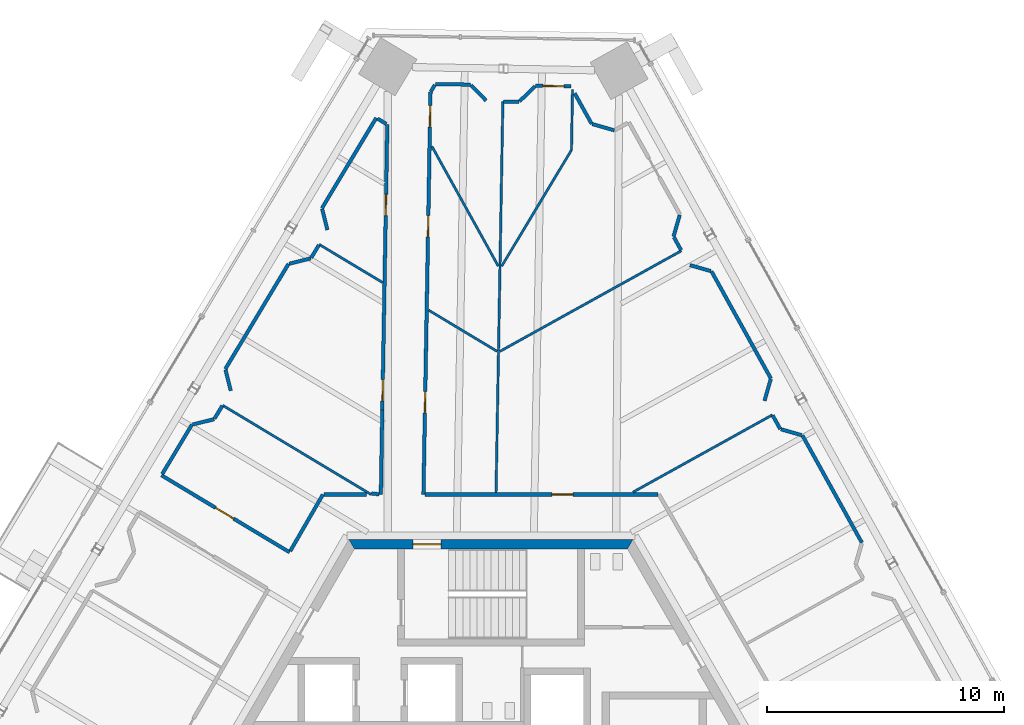
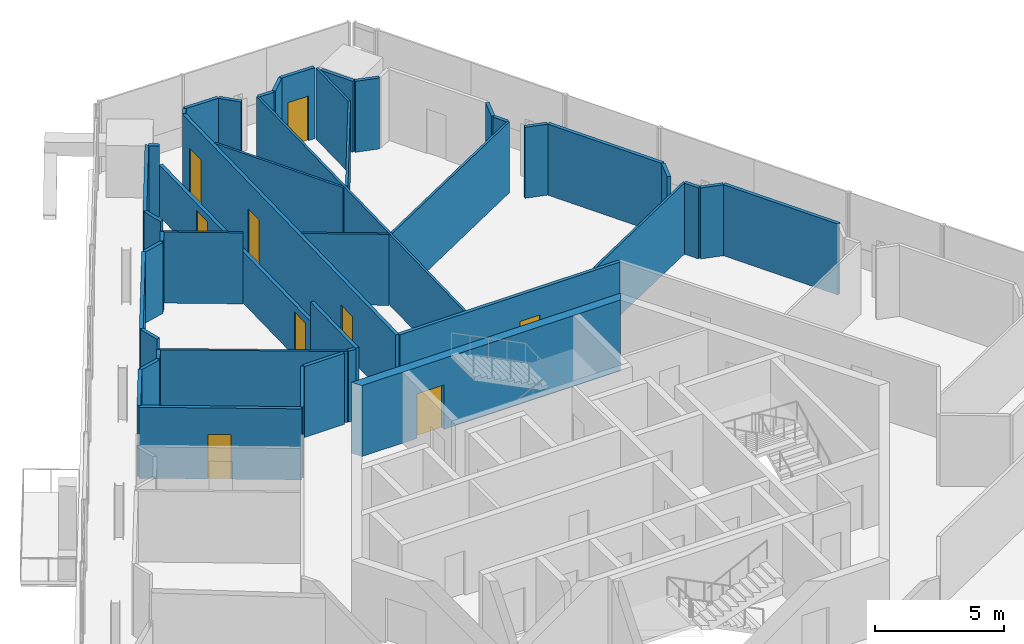
# One storey, part 19 of 24: 44 walls, 9 doors, 9 openings.
"""IFC4 building model written with IfcOpenShell, lengths in metres."""

from ifc_helpers import new_model, si_unit, direction, frame, frame_2d, origin, place, context, subcontext, project, spatial, polyline, rectangle, outline, extrude, source, transform, mapped, material, layer, layer_set, type_object, element, fill, save


model = new_model("IFC4")

# Units and contexts
model_context = context("Model", 3, precision=1e-05, world=origin(), true_north=direction((0.0, 1.0)))
body_context = subcontext(model_context, "Body", "Model", "MODEL_VIEW")
ifc_project = project(units=[si_unit("LENGTHUNIT", "METRE"), si_unit("AREAUNIT", "SQUARE_METRE"), si_unit("VOLUMEUNIT", "CUBIC_METRE"), si_unit("PLANEANGLEUNIT", "RADIAN"), si_unit("MASSUNIT", "GRAM", prefix="KILO")], contexts=[model_context])

# Site, building, storey
site_placement = place(None, origin())
site = spatial("IfcSite", under=ifc_project, at=site_placement, CompositionType="ELEMENT")
building_placement = place(site_placement, origin())
building = spatial("IfcBuilding", under=site, at=building_placement, Name="Triune Harvest Tower", CompositionType="ELEMENT")
storey_placement = place(building_placement, frame((0.0, 0.0, 212.300048828125)))
storey = spatial("IfcBuildingStorey", under=building, at=storey_placement, Name="L55", CompositionType="ELEMENT", Elevation=212.300048828125)

# Walls
ifc_material_1 = material(Name="Gypsum board on steel studs", Category="steel")
ifc_layer_1 = layer(ifc_material_1, 0.14990234375)
ifc_layer_set_1 = layer_set([ifc_layer_1], Name="Gypsum board on steel studs")
wall_type_1 = type_object("IfcWallType", Name="Fire Partition 150 mm", PredefinedType="PARTITIONING", material=ifc_layer_set_1)
wall_1_placement = place(storey_placement, frame((3.538818359375, 29.23779296875, 0.0), z_axis=(0.0, 0.0, 1.0), x_axis=(0.484841070722, -0.874602273117, 0.0)))
element("IfcWall", 1, at=wall_1_placement, inside=storey, type_object=wall_type_1, Name="Partition L55 013", PredefinedType="PARTITIONING", context=body_context, shape_type="SweptSolid", body=[
    extrude(rectangle(XDim=1.473876953125, YDim=0.14990234375, at=frame_2d((0.73681640625, 0.0))), origin(), (0.0, 0.0, 1.0), 3.349853515625),
])
wall_2_placement = place(storey_placement, frame((13.157958984375, 14.787109375, 0.0), z_axis=(0.0, 0.0, 1.0), x_axis=(0.484810485576, -0.874619227479, 0.0)))
element("IfcWall", 2, at=wall_2_placement, inside=storey, type_object=wall_type_1, Name="Partition L55 021", PredefinedType="PARTITIONING", context=body_context, shape_type="SweptSolid", body=[
    extrude(rectangle(XDim=5.180908203125, YDim=0.14990234375, at=frame_2d((2.59033203125, 0.0))), origin(), (0.0, 0.0, 1.0), 3.349853515625),
])

# Wall, opening, door
wall_3_placement = place(storey_placement, frame((-13.916259765625, 13.1025390625, 0.0), z_axis=(0.0, 0.0, 1.0), x_axis=(0.857168518563, -0.515036048044, 0.0)))
wall_3 = element("IfcWall", 3, at=wall_3_placement, inside=storey, type_object=wall_type_1, Name="Partition L55 041", PredefinedType="PARTITIONING", context=body_context, shape_type="SweptSolid", body=[
    extrude(rectangle(XDim=6.311767578125, YDim=0.14990234375, at=frame_2d((3.15576171875, 0.0))), origin(), (0.0, 0.0, 1.0), 3.349853515625),
])
opening_1_placement = place(wall_3_placement, frame((2.661865234375, 0.0, 0.0)))
opening_1 = element("IfcOpeningElement", 4, at=opening_1_placement, cuts=wall_3, Name="Opening L55-015", PredefinedType="OPENING", context=body_context, shape_type="SweptSolid", body=[
    extrude(rectangle(XDim=0.89990234375, YDim=2.10009765625, at=frame_2d((0.449951171875, 1.050048828125))), frame((0.0, 0.0849609375, 0.0), z_axis=(0.0, -1.0, 0.0), x_axis=(1.0, 0.0, 0.0)), (0.0, 0.0, 1.0), 0.169921875),
])
ifc_material_2 = material(Name="Timber and steel door set", Category="steel")
door_type_1 = type_object("IfcDoorType", Name="Single leaf door FD30 left hand 900 x 2100", OperationType="SINGLE_SWING_LEFT", PredefinedType="DOOR", material=ifc_material_2)
door_1_placement = place(opening_1_placement, origin())
door_1 = element("IfcDoor", 5, at=door_1_placement, inside=storey, type_object=door_type_1, Name="Door L55-015 Office 55.15", OperationType="SINGLE_SWING_LEFT", OverallHeight=2.10009765625, OverallWidth=0.89990234375, PredefinedType="DOOR", context=body_context, shape_type="SweptSolid", body=[
    extrude(rectangle(XDim=0.89990234375, YDim=2.10009765625, at=frame_2d((0.449951171875, 1.050048828125))), frame((0.0, 0.02490234375, 0.0), z_axis=(0.0, -1.0, 0.0), x_axis=(1.0, 0.0, 0.0)), (0.0, 0.0, 1.0), 0.050048828125),
])
fill(opening_1, door_1)

# Walls
wall_4_placement = place(storey_placement, frame((-4.793701171875, 28.1689453125, 0.0), z_axis=(0.0, 0.0, 1.0), x_axis=(0.857394082435, -0.514660458366, 0.0)))
element("IfcWall", 6, at=wall_4_placement, inside=storey, type_object=wall_type_1, Name="Partition L55 047", PredefinedType="PARTITIONING", context=body_context, shape_type="SweptSolid", body=[
    extrude(rectangle(XDim=0.43603515625, YDim=0.14990234375, at=frame_2d((0.218017578125, 0.0))), origin(), (0.0, 0.0, 1.0), 3.349853515625),
])
wall_5_placement = place(storey_placement, frame((4.281982421875, 27.9404296875, 0.0), z_axis=(0.0, 0.0, 1.0), x_axis=(0.961285750079, -0.275553455242, 0.0)))
element("IfcWall", 7, at=wall_5_placement, inside=storey, type_object=wall_type_1, Name="Partition L55 054", PredefinedType="PARTITIONING", context=body_context, shape_type="SweptSolid", body=[
    extrude(rectangle(XDim=0.968505859375, YDim=0.14990234375, at=frame_2d((0.484375, 0.0))), origin(), (0.0, 0.0, 1.0), 3.349853515625),
])
wall_6_placement = place(storey_placement, frame((-2.344970703125, 29.630615234375, 0.0), z_axis=(0.0, 0.0, 1.0), x_axis=(0.999845788308, -0.017561309808, 0.0)))
element("IfcWall", 8, at=wall_6_placement, inside=storey, type_object=wall_type_1, Name="Partition L55 069", PredefinedType="PARTITIONING", context=body_context, shape_type="SweptSolid", body=[
    extrude(rectangle(XDim=1.487548828125, YDim=0.14990234375, at=frame_2d((0.74365234375, 0.0))), origin(), (0.0, 0.0, 1.0), 3.349853515625),
])

# Wall, opening, door
wall_7_placement = place(storey_placement, frame((1.890380859375, 29.556640625, 0.0), z_axis=(0.0, 0.0, 1.0), x_axis=(0.99984573768, -0.017564192075, 0.0)))
wall_7 = element("IfcWall", 9, at=wall_7_placement, inside=storey, type_object=wall_type_1, Name="Partition L55 070", PredefinedType="PARTITIONING", context=body_context, shape_type="SweptSolid", body=[
    extrude(rectangle(XDim=1.4873046875, YDim=0.14990234375, at=frame_2d((0.74365234375, 0.0))), origin(), (0.0, 0.0, 1.0), 3.349853515625),
])
opening_2_placement = place(wall_7_placement, frame((0.298828125, 0.0, 0.0)))
opening_2 = element("IfcOpeningElement", 10, at=opening_2_placement, cuts=wall_7, Name="Opening L55-008", PredefinedType="OPENING", context=body_context, shape_type="SweptSolid", body=[
    extrude(rectangle(XDim=0.89990234375, YDim=2.10009765625, at=frame_2d((0.449951171875, 1.050048828125))), frame((0.0, 0.0849609375, 0.0), z_axis=(0.0, -1.0, 0.0), x_axis=(1.0, 0.0, 0.0)), (0.0, 0.0, 1.0), 0.169921875),
])
door_2_placement = place(opening_2_placement, origin())
door_2 = element("IfcDoor", 11, at=door_2_placement, inside=storey, type_object=door_type_1, Name="Door L55-008 Office 55.08", OperationType="SINGLE_SWING_LEFT", OverallHeight=2.10009765625, OverallWidth=0.89990234375, PredefinedType="DOOR", context=body_context, shape_type="SweptSolid", body=[
    extrude(rectangle(XDim=0.89990234375, YDim=2.10009765625, at=frame_2d((0.449951171875, 1.050048828125))), frame((0.0, 0.02490234375, 0.0), z_axis=(0.0, -1.0, 0.0), x_axis=(1.0, 0.0, 0.0)), (0.0, 0.0, 1.0), 0.050048828125),
])
fill(opening_2, door_2)

# Wall
wall_8_placement = place(storey_placement, frame((-7.047119140625, 12.292236328125, 0.0), z_axis=(0.0, 0.0, 1.0), x_axis=(1.0, 0.0, 0.0)))
element("IfcWall", 12, at=wall_8_placement, inside=storey, type_object=wall_type_1, Name="Partition L55 073", PredefinedType="PARTITIONING", context=body_context, shape_type="SweptSolid", body=[
    extrude(rectangle(XDim=1.79736328125, YDim=0.14990234375, at=frame_2d((0.898681640625, 0.0))), origin(), (0.0, 0.0, 1.0), 3.349853515625),
])

# Wall, opening, door
wall_9_placement = place(storey_placement, frame((-2.78955078125, 12.292236328125, 0.0), z_axis=(0.0, 0.0, 1.0), x_axis=(1.0, 0.0, 0.0)))
wall_9 = element("IfcWall", 13, at=wall_9_placement, inside=storey, type_object=wall_type_1, Name="Partition L55 074", PredefinedType="PARTITIONING", context=body_context, shape_type="SweptSolid", body=[
    extrude(rectangle(XDim=9.836669921875, YDim=0.14990234375, at=frame_2d((4.91845703125, 0.0))), origin(), (0.0, 0.0, 1.0), 3.349853515625),
])
opening_3_placement = place(wall_9_placement, frame((5.364501953125, 0.0, 0.0)))
opening_3 = element("IfcOpeningElement", 14, at=opening_3_placement, cuts=wall_9, Name="Opening L55-006", PredefinedType="OPENING", context=body_context, shape_type="SweptSolid", body=[
    extrude(rectangle(XDim=0.89990234375, YDim=2.10009765625, at=frame_2d((0.449951171875, 1.050048828125))), frame((0.0, 0.0849609375, 0.0), z_axis=(0.0, -1.0, 0.0), x_axis=(1.0, 0.0, 0.0)), (0.0, 0.0, 1.0), 0.169921875),
])
ifc_material_3 = material(Name="Timber and steel door set", Category="steel")
door_type_2 = type_object("IfcDoorType", Name="Single leaf door FD30 right hand 900 x 2100", OperationType="SINGLE_SWING_RIGHT", PredefinedType="DOOR", material=ifc_material_3)
door_3_placement = place(opening_3_placement, origin())
door_3 = element("IfcDoor", 15, at=door_3_placement, inside=storey, type_object=door_type_2, Name="Door L55-006 Open Office 55.06", OperationType="SINGLE_SWING_RIGHT", OverallHeight=2.10009765625, OverallWidth=0.89990234375, PredefinedType="DOOR", context=body_context, shape_type="SweptSolid", body=[
    extrude(rectangle(XDim=0.89990234375, YDim=2.10009765625, at=frame_2d((0.449951171875, 1.050048828125))), frame((0.0, 0.02490234375, 0.0), z_axis=(0.0, -1.0, 0.0), x_axis=(1.0, 0.0, 0.0)), (0.0, 0.0, 1.0), 0.050048828125),
])
fill(opening_3, door_3)

# Walls
wall_10_placement = place(storey_placement, frame((-2.543212890625, 29.301513671875, 0.0), z_axis=(0.0, 0.0, 1.0), x_axis=(0.5150297859, 0.857172281187, 0.0)))
element("IfcWall", 16, at=wall_10_placement, inside=storey, type_object=wall_type_1, Name="Partition L55 108", PredefinedType="PARTITIONING", context=body_context, shape_type="SweptSolid", body=[
    extrude(rectangle(XDim=0.336181640625, YDim=0.14990234375, at=frame_2d((0.16796875, 0.0))), origin(), (0.0, 0.0, 1.0), 3.349853515625),
])
wall_11_placement = place(storey_placement, frame((-13.885498046875, 13.154052734375, 0.0), z_axis=(0.0, 0.0, 1.0), x_axis=(0.51502747158, 0.857173671736, 0.0)))
element("IfcWall", 17, at=wall_11_placement, inside=storey, type_object=wall_type_1, Name="Partition L55 118", PredefinedType="PARTITIONING", context=body_context, shape_type="SweptSolid", body=[
    extrude(rectangle(XDim=2.430419921875, YDim=0.14990234375, at=frame_2d((1.21533203125, 0.0))), origin(), (0.0, 0.0, 1.0), 3.349853515625),
])
wall_12_placement = place(storey_placement, frame((-8.47607421875, 9.90380859375, 0.0), z_axis=(0.0, 0.0, 1.0), x_axis=(0.500013606671, 0.866017547827, 0.0)))
element("IfcWall", 18, at=wall_12_placement, inside=storey, type_object=wall_type_1, Name="Partition L55 124", PredefinedType="PARTITIONING", context=body_context, shape_type="SweptSolid", body=[
    extrude(rectangle(XDim=2.75830078125, YDim=0.14990234375, at=frame_2d((1.379150390625, 0.0))), origin(), (0.0, 0.0, 1.0), 3.349853515625),
])

# Wall, openings, doors
wall_13_placement = place(storey_placement, frame((-2.849365234375, 12.29248046875, 0.0), z_axis=(0.0, 0.0, 1.0), x_axis=(0.017470605972, 0.999847377317, 0.0)))
wall_13 = element("IfcWall", 19, at=wall_13_placement, inside=storey, type_object=wall_type_1, Name="Partition L55 136", PredefinedType="PARTITIONING", context=body_context, shape_type="SweptSolid", body=[
    extrude(rectangle(XDim=16.992919921875, YDim=0.14990234375, at=frame_2d((8.49658203125, 0.0))), origin(), (0.0, 0.0, 1.0), 3.349853515625),
])
opening_4_placement = place(wall_13_placement, frame((15.53173828125, 0.0, 0.0)))
opening_4 = element("IfcOpeningElement", 20, at=opening_4_placement, cuts=wall_13, Name="Opening L55-009", PredefinedType="OPENING", context=body_context, shape_type="SweptSolid", body=[
    extrude(rectangle(XDim=0.89990234375, YDim=2.10009765625, at=frame_2d((0.449951171875, 1.050048828125))), frame((0.0, 0.0849609375, 0.0), z_axis=(0.0, -1.0, 0.0), x_axis=(1.0, 0.0, 0.0)), (0.0, 0.0, 1.0), 0.169921875),
])
opening_5_placement = place(wall_13_placement, frame((10.885009765625, 0.0, 0.0)))
opening_5 = element("IfcOpeningElement", 21, at=opening_5_placement, cuts=wall_13, Name="Opening L55-011", PredefinedType="OPENING", context=body_context, shape_type="SweptSolid", body=[
    extrude(rectangle(XDim=0.89990234375, YDim=2.10009765625, at=frame_2d((0.449951171875, 1.050048828125))), frame((0.0, 0.0849609375, 0.0), z_axis=(0.0, -1.0, 0.0), x_axis=(1.0, 0.0, 0.0)), (0.0, 0.0, 1.0), 0.169921875),
])
opening_6_placement = place(wall_13_placement, frame((3.449951171875, 0.0, 0.0)))
opening_6 = element("IfcOpeningElement", 22, at=opening_6_placement, cuts=wall_13, Name="Opening L55-013", PredefinedType="OPENING", context=body_context, shape_type="SweptSolid", body=[
    extrude(rectangle(XDim=0.89990234375, YDim=2.10009765625, at=frame_2d((0.449951171875, 1.050048828125))), frame((0.0, 0.0849609375, 0.0), z_axis=(0.0, -1.0, 0.0), x_axis=(1.0, 0.0, 0.0)), (0.0, 0.0, 1.0), 0.169921875),
])
door_4_placement = place(opening_4_placement, origin())
door_4 = element("IfcDoor", 23, at=door_4_placement, inside=storey, type_object=door_type_1, Name="Door L55-009 Meeting Room 55.09", OperationType="SINGLE_SWING_LEFT", OverallHeight=2.10009765625, OverallWidth=0.89990234375, PredefinedType="DOOR", context=body_context, shape_type="SweptSolid", body=[
    extrude(rectangle(XDim=0.89990234375, YDim=2.10009765625, at=frame_2d((0.449951171875, 1.050048828125))), frame((0.0, 0.02490234375, 0.0), z_axis=(0.0, -1.0, 0.0), x_axis=(1.0, 0.0, 0.0)), (0.0, 0.0, 1.0), 0.050048828125),
])
fill(opening_4, door_4)
door_5_placement = place(opening_5_placement, origin())
door_5 = element("IfcDoor", 24, at=door_5_placement, inside=storey, type_object=door_type_1, Name="Door L55-011 Meeting Room 55.11", OperationType="SINGLE_SWING_LEFT", OverallHeight=2.10009765625, OverallWidth=0.89990234375, PredefinedType="DOOR", context=body_context, shape_type="SweptSolid", body=[
    extrude(rectangle(XDim=0.89990234375, YDim=2.10009765625, at=frame_2d((0.449951171875, 1.050048828125))), frame((0.0, 0.02490234375, 0.0), z_axis=(0.0, -1.0, 0.0), x_axis=(1.0, 0.0, 0.0)), (0.0, 0.0, 1.0), 0.050048828125),
])
fill(opening_5, door_5)
door_6_placement = place(opening_6_placement, origin())
door_6 = element("IfcDoor", 25, at=door_6_placement, inside=storey, type_object=door_type_2, Name="Door L55-013 Dry Store Room 55.13", OperationType="SINGLE_SWING_RIGHT", OverallHeight=2.10009765625, OverallWidth=0.89990234375, PredefinedType="DOOR", context=body_context, shape_type="SweptSolid", body=[
    extrude(rectangle(XDim=0.89990234375, YDim=2.10009765625, at=frame_2d((0.449951171875, 1.050048828125))), frame((0.0, 0.02490234375, 0.0), z_axis=(0.0, -1.0, 0.0), x_axis=(1.0, 0.0, 0.0)), (0.0, 0.0, 1.0), 0.050048828125),
])
fill(opening_6, door_6)

# Wall
wall_14_placement = place(storey_placement, frame((-4.64990234375, 12.292236328125, 0.0), z_axis=(0.0, 0.0, 1.0), x_axis=(0.017383915233, 0.999848888328, 0.0)))
element("IfcWall", 26, at=wall_14_placement, inside=storey, type_object=wall_type_1, Name="Partition L55 138", PredefinedType="PARTITIONING", context=body_context, shape_type="SweptSolid", body=[
    extrude(rectangle(XDim=3.567138671875, YDim=0.14990234375, at=frame_2d((1.78369140625, 0.0))), origin(), (0.0, 0.0, 1.0), 3.349853515625),
])

# Wall, openings, doors
wall_15_placement = place(storey_placement, frame((-4.587890625, 15.85888671875, 0.0), z_axis=(0.0, 0.0, 1.0), x_axis=(0.017468030962, 0.999847422307, 0.0)))
wall_15 = element("IfcWall", 27, at=wall_15_placement, inside=storey, type_object=wall_type_1, Name="Partition L55 138a", PredefinedType="PARTITIONING", context=body_context, shape_type="SweptSolid", body=[
    extrude(rectangle(XDim=12.061767578125, YDim=0.14990234375, at=frame_2d((6.03076171875, 0.0))), origin(), (0.0, 0.0, 1.0), 2.427978515625),
])
opening_7_placement = place(wall_15_placement, frame((8.211669921875, 0.0, 0.0)))
opening_7 = element("IfcOpeningElement", 28, at=opening_7_placement, cuts=wall_15, Name="Opening L55-010", PredefinedType="OPENING", context=body_context, shape_type="SweptSolid", body=[
    extrude(rectangle(XDim=0.89990234375, YDim=2.10009765625, at=frame_2d((0.449951171875, 1.050048828125))), frame((0.0, 0.0849609375, 0.0), z_axis=(0.0, -1.0, 0.0), x_axis=(1.0, 0.0, 0.0)), (0.0, 0.0, 1.0), 0.169921875),
])
opening_8_placement = place(wall_15_placement, frame((0.388916015625, 0.0, 0.0)))
opening_8 = element("IfcOpeningElement", 29, at=opening_8_placement, cuts=wall_15, Name="Opening L55-012", PredefinedType="OPENING", context=body_context, shape_type="SweptSolid", body=[
    extrude(rectangle(XDim=0.89990234375, YDim=2.10009765625, at=frame_2d((0.449951171875, 1.050048828125))), frame((0.0, 0.0849609375, 0.0), z_axis=(0.0, -1.0, 0.0), x_axis=(1.0, 0.0, 0.0)), (0.0, 0.0, 1.0), 0.169921875),
])
door_7_placement = place(opening_8_placement, origin())
door_7 = element("IfcDoor", 30, at=door_7_placement, inside=storey, type_object=door_type_1, Name="Door L55-012 Reception 55.12", OperationType="SINGLE_SWING_LEFT", OverallHeight=2.10009765625, OverallWidth=0.89990234375, PredefinedType="DOOR", context=body_context, shape_type="SweptSolid", body=[
    extrude(rectangle(XDim=0.89990234375, YDim=2.10009765625, at=frame_2d((0.449951171875, 1.050048828125))), frame((0.0, 0.02490234375, 0.0), z_axis=(0.0, -1.0, 0.0), x_axis=(1.0, 0.0, 0.0)), (0.0, 0.0, 1.0), 0.050048828125),
])
fill(opening_8, door_7)
door_8_placement = place(opening_7_placement, origin())
door_8 = element("IfcDoor", 31, at=door_8_placement, inside=storey, type_object=door_type_2, Name="Door L55-010 Meeting Room 55.10", OperationType="SINGLE_SWING_RIGHT", OverallHeight=2.10009765625, OverallWidth=0.89990234375, PredefinedType="DOOR", context=body_context, shape_type="SweptSolid", body=[
    extrude(rectangle(XDim=0.89990234375, YDim=2.10009765625, at=frame_2d((0.449951171875, 1.050048828125))), frame((0.0, 0.02490234375, 0.0), z_axis=(0.0, -1.0, 0.0), x_axis=(1.0, 0.0, 0.0)), (0.0, 0.0, 1.0), 0.050048828125),
])
fill(opening_7, door_8)

# Walls
wall_16_placement = place(storey_placement, frame((-4.724609375, 12.300537109375, 0.0), z_axis=(0.0, 0.0, 1.0), x_axis=(-0.99402355801, 0.109165773579, 0.0)))
element("IfcWall", 32, at=wall_16_placement, inside=storey, type_object=wall_type_1, Name="Partition L55 144", PredefinedType="PARTITIONING", context=body_context, shape_type="SweptSolid", body=[
    extrude(rectangle(XDim=0.317626953125, YDim=0.14990234375, at=frame_2d((0.15869140625, 0.0))), origin(), (0.0, 0.0, 1.0), 3.349853515625),
])
ifc_material_4 = material(Name="Gypsum board on steel studs", Category="steel")
ifc_layer_2 = layer(ifc_material_4, 0.10009765625)
ifc_layer_set_2 = layer_set([ifc_layer_2], Name="Gypsum board on steel studs")
wall_type_2 = type_object("IfcWallType", Name="Partition 100 mm", PredefinedType="PARTITIONING", material=ifc_layer_set_2)
wall_17_placement = place(storey_placement, frame((-2.49267578125, 26.996826171875, 0.0), z_axis=(0.0, 0.0, 1.0), x_axis=(0.484811709657, -0.874618548957, 0.0)))
element("IfcWall", 33, at=wall_17_placement, inside=storey, type_object=wall_type_2, Name="Partition L55 011", PredefinedType="PARTITIONING", context=body_context, shape_type="SweptSolid", body=[
    extrude(rectangle(XDim=5.787109375, YDim=0.10009765625, at=frame_2d((2.8935546875, 0.0))), origin(), (0.0, 0.0, 1.0), 3.349853515625),
])
wall_18_placement = place(storey_placement, frame((-11.336181640625, 16.059814453125, 0.0), z_axis=(0.0, 0.0, 1.0), x_axis=(0.857157021982, -0.515055181186, 0.0)))
element("IfcWall", 34, at=wall_18_placement, inside=storey, type_object=wall_type_2, Name="Partition L55 044", PredefinedType="PARTITIONING", context=body_context, shape_type="SweptSolid", body=[
    extrude(rectangle(XDim=7.31494140625, YDim=0.10009765625, at=frame_2d((3.657470703125, 0.0))), origin(), (0.0, 0.0, 1.0), 3.349853515625),
])
wall_19_placement = place(storey_placement, frame((-7.25341796875, 22.8544921875, 0.0), z_axis=(0.0, 0.0, 1.0), x_axis=(0.857196688927, -0.514989161529, 0.0)))
element("IfcWall", 35, at=wall_19_placement, inside=storey, type_object=wall_type_2, Name="Partition L55 045", PredefinedType="PARTITIONING", context=body_context, shape_type="SweptSolid", body=[
    extrude(rectangle(XDim=3.12841796875, YDim=0.10009765625, at=frame_2d((1.564208984375, 0.0))), origin(), (0.0, 0.0, 1.0), 3.349853515625),
])
wall_20_placement = place(storey_placement, frame((-2.635498046875, 20.079833984375, 0.0), z_axis=(0.0, 0.0, 1.0), x_axis=(0.857167467298, -0.515037797647, 0.0)))
element("IfcWall", 36, at=wall_20_placement, inside=storey, type_object=wall_type_2, Name="Partition L55 046", PredefinedType="PARTITIONING", context=body_context, shape_type="SweptSolid", body=[
    extrude(rectangle(XDim=3.37744140625, YDim=0.10009765625, at=frame_2d((1.688720703125, 0.0))), origin(), (0.0, 0.0, 1.0), 3.349853515625),
])
wall_21_placement = place(storey_placement, frame((5.999755859375, 12.389404296875, 0.0), z_axis=(0.0, 0.0, 1.0), x_axis=(0.874615185576, 0.484817777273, 0.0)))
element("IfcWall", 37, at=wall_21_placement, inside=storey, type_object=wall_type_2, Name="Partition L55 093", PredefinedType="PARTITIONING", context=body_context, shape_type="SweptSolid", body=[
    extrude(rectangle(XDim=6.734375, YDim=0.10009765625, at=frame_2d((3.3671875, 0.0))), origin(), (0.0, 0.0, 1.0), 3.349853515625),
])
wall_22_placement = place(storey_placement, frame((0.45263671875, 21.932861328125, 0.0), z_axis=(0.0, 0.0, 1.0), x_axis=(0.515047413772, 0.857161689278, 0.0)))
element("IfcWall", 38, at=wall_22_placement, inside=storey, type_object=wall_type_2, Name="Partition L55 106", PredefinedType="PARTITIONING", context=body_context, shape_type="SweptSolid", body=[
    extrude(rectangle(XDim=5.72607421875, YDim=0.10009765625, at=frame_2d((2.863037109375, 0.0))), origin(), (0.0, 0.0, 1.0), 3.349853515625),
])
wall_23_placement = place(storey_placement, frame((3.402099609375, 26.841064453125, 0.0), z_axis=(0.0, 0.0, 1.0), x_axis=(0.01742924387, 0.999848099192, 0.0)))
element("IfcWall", 39, at=wall_23_placement, inside=storey, type_object=wall_type_2, Name="Partition L55 133", PredefinedType="PARTITIONING", context=body_context, shape_type="SweptSolid", body=[
    extrude(rectangle(XDim=2.5634765625, YDim=0.10009765625, at=frame_2d((1.28173828125, 0.0))), origin(), (0.0, 0.0, 1.0), 3.349853515625),
])

# Wall, opening, door
ifc_material_5 = material(Name="Concrete 70 MPa", Category="concrete")
ifc_layer_3 = layer(ifc_material_5, 0.39990234375)
ifc_layer_set_3 = layer_set([ifc_layer_3], Name="Concrete 70 MPa")
wall_type_3 = type_object("IfcWallType", Name="Core wall 400", PredefinedType="SHEAR", material=ifc_layer_set_3)
shared_shape_1 = source(origin(), body_context, "Body", "SweptSolid", [
    extrude(outline(polyline([(-0.115478515625, -0.199951171875), (11.884521484375, -0.199951171875), (11.653564453125, 0.199951171875), (0.115478515625, 0.199951171875), (-0.115478515625, -0.199951171875)])), origin(), (0.0, 0.0, 1.0), 3.349853515625),
])
wall_24_placement = place(storey_placement, frame((5.884521484375, 10.1923828125, 0.0), z_axis=(0.0, 0.0, 1.0), x_axis=(-1.0, 0.0, 0.0)))
wall_24 = element("IfcWall", 40, at=wall_24_placement, inside=storey, type_object=wall_type_3, Name="Hexagon 1 wall", PredefinedType="SHEAR", context=body_context, shape_type="MappedRepresentation", body=[
    mapped(shared_shape_1, transform((0.0, 0.0, 0.0), scale=1.0)),
])
opening_9_placement = place(wall_24_placement, frame((7.984619140625, 0.0, 0.0)))
opening_9 = element("IfcOpeningElement", 41, at=opening_9_placement, cuts=wall_24, Name="Opening CD-S1P", PredefinedType="OPENING", context=body_context, shape_type="SweptSolid", body=[
    extrude(rectangle(XDim=1.199951171875, YDim=2.10009765625, at=frame_2d((0.60009765625, 1.050048828125))), frame((0.0, 0.2099609375, 0.0), z_axis=(0.0, -1.0, 0.0), x_axis=(1.0, 0.0, 0.0)), (0.0, 0.0, 1.0), 0.419921875),
])
ifc_material_6 = material(Name="Steel S235", Category="steel")
door_type_3 = type_object("IfcDoorType", Name="Stair door 1200 FD120", OperationType="SINGLE_SWING_LEFT", PredefinedType="DOOR", material=ifc_material_6)
door_9_placement = place(opening_9_placement, frame((1.199951171875, 0.0, 0.0), z_axis=(0.0, 0.0, 1.0), x_axis=(-1.0, 0.0, 0.0)))
door_9 = element("IfcDoor", 42, at=door_9_placement, inside=storey, type_object=door_type_3, Name="Door CD-S1P", OperationType="SINGLE_SWING_RIGHT", OverallHeight=2.10009765625, OverallWidth=1.199951171875, PredefinedType="DOOR", context=body_context, shape_type="SweptSolid", body=[
    extrude(rectangle(XDim=1.199951171875, YDim=2.10009765625, at=frame_2d((0.60009765625, 1.050048828125))), frame((0.0, 0.02490234375, 0.0), z_axis=(0.0, -1.0, 0.0), x_axis=(1.0, 0.0, 0.0)), (0.0, 0.0, 1.0), 0.050048828125),
])
fill(opening_9, door_9)

# Walls
shared_shape_2 = source(origin(), body_context, "Body", "SweptSolid", [
    extrude(rectangle(XDim=0.9140625, YDim=0.14990234375, at=frame_2d((0.45703125, 0.0))), origin(), (0.0, 0.0, 1.0), 3.349853515625),
])
for number, where, z_axis, x_axis, name in (
    (43, (-11.2119140625, 17.5625, 0.0), (0.0, 0.0, 1.0), (0.241718550758, -0.970346403208, 0.0), "Partition L55 005"),
    (44, (-7.129150390625, 24.357421875, 0.0), (0.0, 0.0, 1.0), (0.241718550758, -0.970346403208, 0.0), "Partition L55 006"),
    (45, (-0.8359375, 29.5830078125, 0.0), (0.0, 0.0, 1.0), (0.694713669559, -0.719286394511, 0.0), "Partition L55 033"),
    (46, (12.25048828125, 15.047119140625, 0.0), (0.0, 0.0, 1.0), (0.961332200512, -0.275391358357, 0.0), "Partition L55 052"),
    (47, (8.4072265625, 21.98046875, 0.0), (0.0, 0.0, 1.0), (0.961261458393, -0.275638184235, 0.0), "Partition L55 053"),
):
    element("IfcWall", number, at=place(storey_placement, frame(where, z_axis=z_axis, x_axis=x_axis)), inside=storey, type_object=wall_type_1, Name=name, PredefinedType="PARTITIONING", context=body_context, shape_type="MappedRepresentation", body=[
        mapped(shared_shape_2, transform((0.0, 0.0, 0.0), scale=1.0)),
    ])
shared_shape_3 = source(origin(), body_context, "Body", "SweptSolid", [
    extrude(rectangle(XDim=0.944091796875, YDim=0.14990234375, at=frame_2d((0.47216796875, 0.0))), origin(), (0.0, 0.0, 1.0), 3.349853515625),
])
for number, where, z_axis, x_axis, name in (
    (48, (-12.604736328125, 15.244384765625, 0.0), (0.0, 0.0, 1.0), (0.970264071749, 0.242048819605, 0.0), "Partition L55 079"),
    (49, (-8.52197265625, 22.039306640625, 0.0), (0.0, 0.0, 1.0), (0.970264071749, 0.242048819605, 0.0), "Partition L55 080"),
    (50, (11.557861328125, 16.2529296875, 0.0), (0.0, 0.0, 1.0), (0.275677357934, 0.961250224615, 0.0), "Partition L55 129"),
    (51, (7.714599609375, 23.186279296875, 0.0), (0.0, 0.0, 1.0), (0.275677357934, 0.961250224615, 0.0), "Partition L55 130"),
):
    element("IfcWall", number, at=place(storey_placement, frame(where, z_axis=z_axis, x_axis=x_axis)), inside=storey, type_object=wall_type_1, Name=name, PredefinedType="PARTITIONING", context=body_context, shape_type="MappedRepresentation", body=[
        mapped(shared_shape_3, transform((0.0, 0.0, 0.0), scale=1.0)),
    ])
shared_shape_4 = source(origin(), body_context, "Body", "SweptSolid", [
    extrude(rectangle(XDim=0.620361328125, YDim=0.14990234375, at=frame_2d((0.31005859375, 0.0))), origin(), (0.0, 0.0, 1.0), 3.349853515625),
])
wall_25_placement = place(storey_placement, frame((7.7294921875, 23.160888671875, 0.0), z_axis=(0.0, 0.0, 1.0), x_axis=(0.484907555914, -0.874565413344, 0.0)))
element("IfcWall", 52, at=wall_25_placement, inside=storey, type_object=wall_type_1, Name="Partition L55 014", PredefinedType="PARTITIONING", context=body_context, shape_type="MappedRepresentation", body=[
    mapped(shared_shape_4, transform((0.0, 0.0, 0.0), scale=1.0)),
])
shared_shape_5 = source(origin(), body_context, "Body", "SweptSolid", [
    extrude(rectangle(XDim=0.657958984375, YDim=0.14990234375, at=frame_2d((0.3291015625, 0.0))), origin(), (0.0, 0.0, 1.0), 3.349853515625),
])
wall_26_placement = place(storey_placement, frame((11.902587890625, 15.631591796875, 0.0), z_axis=(0.0, 0.0, 1.0), x_axis=(0.484949703217, -0.874542043215, 0.0)))
element("IfcWall", 53, at=wall_26_placement, inside=storey, type_object=wall_type_1, Name="Partition L55 015", PredefinedType="PARTITIONING", context=body_context, shape_type="MappedRepresentation", body=[
    mapped(shared_shape_5, transform((0.0, 0.0, 0.0), scale=1.0)),
])
shared_shape_6 = source(origin(), body_context, "Body", "SweptSolid", [
    extrude(rectangle(XDim=5.180419921875, YDim=0.14990234375, at=frame_2d((2.59033203125, 0.0))), origin(), (0.0, 0.0, 1.0), 3.349853515625),
])
for number, where, z_axis, x_axis, name in (
    (54, (9.31494140625, 21.72021484375, 0.0), (0.0, 0.0, 1.0), (0.484794418322, -0.874628133531, 0.0), "Partition L55 020"),
    (55, (-11.21923828125, 17.591552734375, 0.0), (0.0, 0.0, 1.0), (0.515057017486, 0.857155918569, 0.0), "Partition L55 119"),
):
    element("IfcWall", number, at=place(storey_placement, frame(where, z_axis=z_axis, x_axis=x_axis)), inside=storey, type_object=wall_type_1, Name=name, PredefinedType="PARTITIONING", context=body_context, shape_type="MappedRepresentation", body=[
        mapped(shared_shape_6, transform((0.0, 0.0, 0.0), scale=1.0)),
    ])
shared_shape_7 = source(origin(), body_context, "Body", "SweptSolid", [
    extrude(rectangle(XDim=4.448974609375, YDim=0.14990234375, at=frame_2d((2.224609375, 0.0))), origin(), (0.0, 0.0, 1.0), 3.349853515625),
])
wall_27_placement = place(storey_placement, frame((-7.136474609375, 24.38623046875, 0.0), z_axis=(0.0, 0.0, 1.0), x_axis=(0.515060537646, 0.857153803328, 0.0)))
element("IfcWall", 56, at=wall_27_placement, inside=storey, type_object=wall_type_1, Name="Partition L55 120", PredefinedType="PARTITIONING", context=body_context, shape_type="MappedRepresentation", body=[
    mapped(shared_shape_7, transform((0.0, 0.0, 0.0), scale=1.0)),
])
shared_shape_8 = source(origin(), body_context, "Body", "SweptSolid", [
    extrude(rectangle(XDim=0.914306640625, YDim=0.14990234375, at=frame_2d((0.45703125, 0.0))), origin(), (0.0, 0.0, 1.0), 3.349853515625),
])
wall_28_placement = place(storey_placement, frame((1.210205078125, 28.90087890625, 0.0), z_axis=(0.0, 0.0, 1.0), x_axis=(0.719415264572, 0.694580216463, 0.0)))
element("IfcWall", 57, at=wall_28_placement, inside=storey, type_object=wall_type_1, Name="Partition L55 101", PredefinedType="PARTITIONING", context=body_context, shape_type="MappedRepresentation", body=[
    mapped(shared_shape_8, transform((0.0, 0.0, 0.0), scale=1.0)),
])
shared_shape_9 = source(origin(), body_context, "Body", "SweptSolid", [
    extrude(rectangle(XDim=0.658935546875, YDim=0.14990234375, at=frame_2d((0.32958984375, 0.0))), origin(), (0.0, 0.0, 1.0), 3.349853515625),
])
wall_29_placement = place(storey_placement, frame((0.52978515625, 28.8916015625, 0.0), z_axis=(0.0, 0.0, 1.0), x_axis=(0.999848413267, -0.017411217274, 0.0)))
element("IfcWall", 58, at=wall_29_placement, inside=storey, type_object=wall_type_1, Name="Partition L55 068", PredefinedType="PARTITIONING", context=body_context, shape_type="MappedRepresentation", body=[
    mapped(shared_shape_9, transform((0.0, 0.0, 0.0), scale=1.0)),
])
shared_shape_10 = source(origin(), body_context, "Body", "SweptSolid", [
    extrude(rectangle(XDim=16.602294921875, YDim=0.10009765625, at=frame_2d((8.30126953125, 0.0))), origin(), (0.0, 0.0, 1.0), 3.349853515625),
])
wall_30_placement = place(storey_placement, frame((0.214599609375, 12.292236328125, 0.0), z_axis=(0.0, 0.0, 1.0), x_axis=(0.0174403191, 0.999847906069, 0.0)))
element("IfcWall", 59, at=wall_30_placement, inside=storey, type_object=wall_type_2, Name="Partition L55 134", PredefinedType="PARTITIONING", context=body_context, shape_type="MappedRepresentation", body=[
    mapped(shared_shape_10, transform((0.0, 0.0, 0.0), scale=1.0)),
])
shared_shape_11 = source(origin(), body_context, "Body", "SweptSolid", [
    extrude(rectangle(XDim=8.7646484375, YDim=0.10009765625, at=frame_2d((4.38232421875, 0.0))), origin(), (0.0, 0.0, 1.0), 3.349853515625),
])
wall_31_placement = place(storey_placement, frame((0.380615234375, 18.338134765625, 0.0), z_axis=(0.0, 0.0, 1.0), x_axis=(0.87461675323, 0.484814949201, 0.0)))
element("IfcWall", 60, at=wall_31_placement, inside=storey, type_object=wall_type_2, Name="Partition L55 094", PredefinedType="PARTITIONING", context=body_context, shape_type="MappedRepresentation", body=[
    mapped(shared_shape_11, transform((0.0, 0.0, 0.0), scale=1.0)),
])
shared_shape_12 = source(origin(), body_context, "Body", "SweptSolid", [
    extrude(rectangle(XDim=0.6298828125, YDim=0.14990234375, at=frame_2d((0.31494140625, 0.0))), origin(), (0.0, 0.0, 1.0), 3.349853515625),
])
for number, where, z_axis, x_axis, name in (
    (61, (-11.673583984375, 15.498291015625, 0.0), (0.0, 0.0, 1.0), (0.515179670409, 0.857082205624, 0.0), "Partition L55 112"),
    (62, (-7.5908203125, 22.293212890625, 0.0), (0.0, 0.0, 1.0), (0.515179670409, 0.857082205624, 0.0), "Partition L55 113"),
):
    element("IfcWall", number, at=place(storey_placement, frame(where, z_axis=z_axis, x_axis=x_axis)), inside=storey, type_object=wall_type_1, Name=name, PredefinedType="PARTITIONING", context=body_context, shape_type="MappedRepresentation", body=[
        mapped(shared_shape_12, transform((0.0, 0.0, 0.0), scale=1.0)),
    ])

save(model, "model.ifc")
